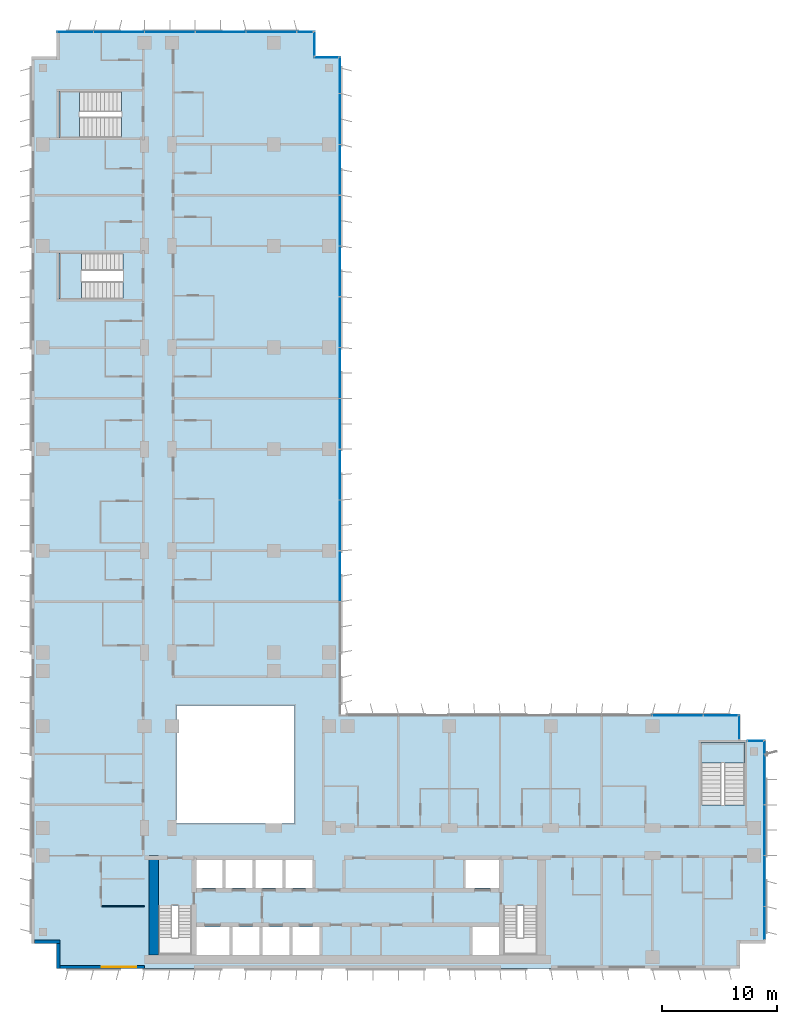
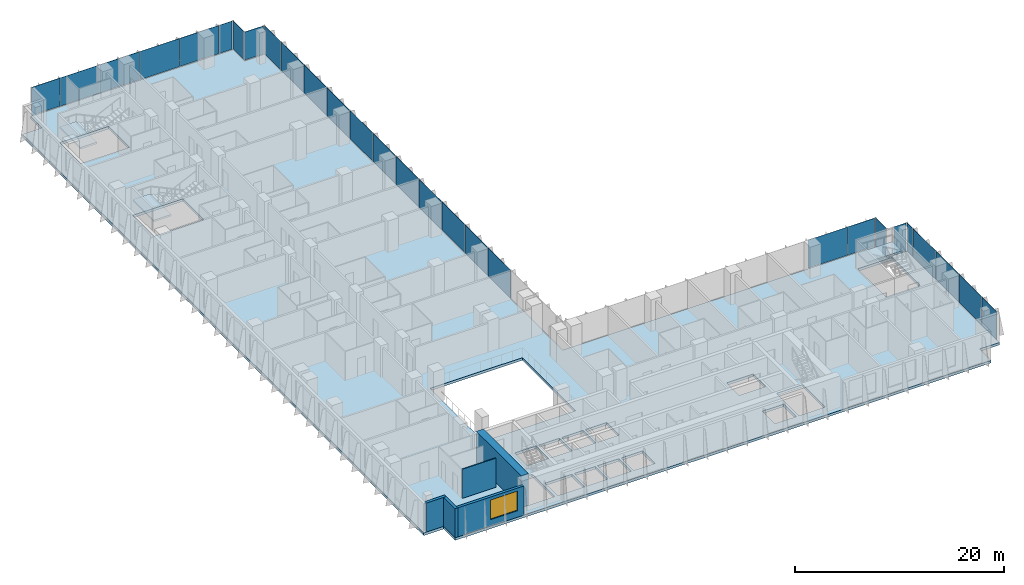
# One storey, part 11 of 23: 28 plates, 5 walls, 4 slabs, 1 window, 1 opening, 11 elements without a shape of their own.
"""IFC4 building model written with IfcOpenShell, lengths in metres."""

from ifc_helpers import new_model, si_unit, direction, frame, frame_2d, origin, origin_2d, place, context, subcontext, project, spatial, polyline, rectangle, outline, extrude, source, transform, mapped, material, layer, layer_set, type_object, element, fill, aggregate, save


model = new_model("IFC4")

# Units and contexts
model_context = context("Model", 3, precision=1e-05, world=origin(), true_north=direction((0.0, 1.0)))
body_context = subcontext(model_context, "Body", "Model", "MODEL_VIEW")
ifc_project = project(units=[si_unit("LENGTHUNIT", "METRE"), si_unit("AREAUNIT", "SQUARE_METRE"), si_unit("VOLUMEUNIT", "CUBIC_METRE"), si_unit("PLANEANGLEUNIT", "RADIAN"), si_unit("MASSUNIT", "GRAM", prefix="KILO")], contexts=[model_context])

# Site, building, storey
site_placement = place(None, origin())
site = spatial("IfcSite", under=ifc_project, at=site_placement, CompositionType="ELEMENT")
building_placement = place(site_placement, origin())
building = spatial("IfcBuilding", under=site, at=building_placement, Name="Kemantara Hotel Tower", CompositionType="ELEMENT")
storey_placement = place(building_placement, frame((0.0, 0.0, 118.5)))
storey = spatial("IfcBuildingStorey", under=building, at=storey_placement, Name="L28", CompositionType="ELEMENT", Elevation=118.5)

# Slab
ifc_material_1 = material(Name="Concrete fc 40 MPa", Category="concrete")
ifc_layer_1 = layer(ifc_material_1, 0.300048828125)
ifc_layer_set_1 = layer_set([ifc_layer_1], Name="Concrete fc 40 MPa")
slab_type_1 = type_object("IfcSlabType", Name="POST-TENSIONED FLAT PLATE 300", PredefinedType="FLOOR", material=ifc_layer_set_1)
slab_1_placement = place(storey_placement, frame((0.0, 0.0, -0.300048828125)))
element("IfcSlab", 1, at=slab_1_placement, inside=storey, type_object=slab_type_1, Name="FLOOR SLAB L28", PredefinedType="FLOOR", context=body_context, shape_type="SweptSolid", body=[
    extrude(outline(polyline([(26.800048828125, 79.0), (24.60009765625, 79.0), (24.60009765625, 81.199951171875), (2.199951171875, 81.199951171875), (2.199951171875, 79.0), (0.0, 79.0), (0.0, 2.199951171875), (2.199951171875, 2.199951171875), (2.199951171875, 0.0), (61.39990234375, 0.0), (61.39990234375, 2.199951171875), (63.60009765625, 2.199951171875), (63.60009765625, 19.800048828125), (61.39990234375, 19.800048828125), (61.39990234375, 22.0), (26.800048828125, 22.0), (26.800048828125, 79.0)]), holes=[polyline([(17.175048828125, 1.199951171875), (14.22509765625, 1.199951171875), (14.22509765625, 3.60009765625), (17.175048828125, 3.60009765625), (17.175048828125, 1.199951171875)]), polyline([(19.77490234375, 1.199951171875), (17.425048828125, 1.199951171875), (17.425048828125, 3.60009765625), (19.77490234375, 3.60009765625), (19.77490234375, 1.199951171875)]), polyline([(11.0, 1.199951171875), (11.0, 5.49951171875), (13.89990234375, 5.49951171875), (13.89990234375, 1.199951171875), (11.0, 1.199951171875)]), polyline([(16.574951171875, 7.0), (14.22509765625, 7.0), (14.22509765625, 9.39990234375), (16.574951171875, 9.39990234375), (16.574951171875, 7.0)]), polyline([(19.175048828125, 7.0), (16.824951171875, 7.0), (16.824951171875, 9.39990234375), (19.175048828125, 9.39990234375), (19.175048828125, 7.0)]), polyline([(22.800048828125, 12.60009765625), (12.60009765625, 12.60009765625), (12.60009765625, 22.800048828125), (22.800048828125, 22.800048828125), (22.800048828125, 12.60009765625)]), polyline([(2.39990234375, 62.0), (7.949462890625, 62.0), (7.949462890625, 58.0), (2.39990234375, 58.0), (2.39990234375, 62.0)]), polyline([(2.39990234375, 76.0), (7.79931640625, 76.0), (7.79931640625, 72.0), (2.39990234375, 72.0), (2.39990234375, 76.0)]), polyline([(22.375, 1.199951171875), (20.02490234375, 1.199951171875), (20.02490234375, 3.60009765625), (22.375, 3.60009765625), (22.375, 1.199951171875)]), polyline([(24.97509765625, 1.199951171875), (22.625, 1.199951171875), (22.625, 3.60009765625), (24.97509765625, 3.60009765625), (24.97509765625, 1.199951171875)]), polyline([(40.574951171875, 1.199951171875), (38.22509765625, 1.199951171875), (38.22509765625, 3.60009765625), (40.574951171875, 3.60009765625), (40.574951171875, 1.199951171875)]), polyline([(40.89990234375, 1.199951171875), (40.89990234375, 5.49951171875), (43.800048828125, 5.49951171875), (43.800048828125, 1.199951171875), (40.89990234375, 1.199951171875)]), polyline([(21.77490234375, 7.0), (19.425048828125, 7.0), (19.425048828125, 9.39990234375), (21.77490234375, 9.39990234375), (21.77490234375, 7.0)]), polyline([(24.375, 7.0), (22.02490234375, 7.0), (22.02490234375, 9.39990234375), (24.375, 9.39990234375), (24.375, 7.0)]), polyline([(40.574951171875, 7.0), (37.625, 7.0), (37.625, 9.39990234375), (40.574951171875, 9.39990234375), (40.574951171875, 7.0)]), polyline([(61.800048828125, 19.60009765625), (61.800048828125, 14.20068359375), (58.0, 14.20068359375), (58.0, 19.60009765625), (61.800048828125, 19.60009765625)])]), origin(), (0.0, 0.0, 1.0), 0.300048828125),
])

# Stair, slab
stair_type_1 = type_object("IfcStairType", Name="Stair 1800 wide 22 risers of 168 x 360 mm", PredefinedType="HALF_TURN_STAIR", material=ifc_material_1)
stair_1_placement = place(storey_placement, origin())
stair_1 = element("IfcStair", 2, at=stair_1_placement, inside=storey, type_object=stair_type_1, Name="L28 Exit stair ST3", PredefinedType="HALF_TURN_STAIR")
ifc_layer_2 = layer(ifc_material_1, 0.199951171875)
ifc_layer_set_2 = layer_set([ifc_layer_2], Name="Concrete fc 40 MPa")
slab_type_2 = type_object("IfcSlabType", Name="Stair landing 200 mm", PredefinedType="LANDING", material=ifc_layer_set_2)
slab_2_placement = place(storey_placement, frame((0.0, 0.0, 1.64990234375)))
slab_2 = element("IfcSlab", 3, at=slab_2_placement, type_object=slab_type_2, Name="ST3 landing 1", PredefinedType="LANDING", context=body_context, shape_type="SweptSolid", body=[
    extrude(outline(polyline([(61.800048828125, 17.800048828125), (61.800048828125, 19.60009765625), (58.0, 19.60009765625), (58.0, 17.800048828125), (61.800048828125, 17.800048828125)])), origin(), (0.0, 0.0, 1.0), 0.2001953125),
])
aggregate(stair_1, [slab_2])

stair_type_2 = type_object("IfcStairType", Name="Stair 1550 wide 22 risers of 168 x 360 mm", PredefinedType="HALF_TURN_STAIR", material=ifc_material_1)
stair_2_placement = place(storey_placement, origin())
stair_2 = element("IfcStair", 4, at=stair_2_placement, inside=storey, type_object=stair_type_2, Name="L28 Exit stair ST4", PredefinedType="HALF_TURN_STAIR")
slab_3_placement = place(storey_placement, frame((0.0, 0.0, 1.64990234375)))
slab_3 = element("IfcSlab", 5, at=slab_3_placement, type_object=slab_type_2, Name="ST4 landing 1", PredefinedType="LANDING", context=body_context, shape_type="SweptSolid", body=[
    extrude(outline(polyline([(4.35009765625, 62.0), (2.39990234375, 62.0), (2.39990234375, 58.0), (4.35009765625, 58.0), (4.35009765625, 62.0)])), origin(), (0.0, 0.0, 1.0), 0.2001953125),
])
aggregate(stair_2, [slab_3])

stair_3_placement = place(storey_placement, origin())
stair_3 = element("IfcStair", 6, at=stair_3_placement, inside=storey, type_object=stair_type_1, Name="L28 Exit stair ST6", PredefinedType="HALF_TURN_STAIR")
slab_4_placement = place(storey_placement, frame((0.0, 0.0, 1.64990234375)))
slab_4 = element("IfcSlab", 7, at=slab_4_placement, type_object=slab_type_2, Name="ST6 landing 1", PredefinedType="LANDING", context=body_context, shape_type="SweptSolid", body=[
    extrude(outline(polyline([(4.199951171875, 76.0), (2.39990234375, 76.0), (2.39990234375, 72.0), (4.199951171875, 72.0), (4.199951171875, 76.0)])), origin(), (0.0, 0.0, 1.0), 0.2001953125),
])
aggregate(stair_3, [slab_4])

# Curtain wall, plate
ifc_material_2 = material(Name="Low-E tinted double insulated glass 36 mm", Category="glass")
curtain_wall_type = type_object("IfcCurtainWallType", Name="TOWER CURTAIN WALL, FRONT FACES", PredefinedType="USERDEFINED", material=ifc_material_2)
curtain_wall_1_placement = place(storey_placement, origin())
curtain_wall_1 = element("IfcCurtainWall", 8, at=curtain_wall_1_placement, inside=storey, type_object=curtain_wall_type, Name="CW4 L28 T2-R10-1", ObjectType="TOWER CURTAIN WALL, FRONT FACES", PredefinedType="USERDEFINED")
ifc_layer_3 = layer(ifc_material_2, 0.035888671875)
ifc_layer_set_3 = layer_set([ifc_layer_3], Name="Low-E tinted double insulated glass 36 mm")
plate_type = type_object("IfcPlateType", Name="TOWER CURTAIN WALL, FRONT FACES PANEL", PredefinedType="CURTAIN_PANEL", material=ifc_layer_set_3)
shared_shape_1 = source(origin(), body_context, "Body", "SweptSolid", [
    extrude(rectangle(XDim=2.81005859375, YDim=0.035888671875, at=origin_2d()), origin(), (0.0, 0.0, 1.0), 3.280029296875),
])
plate_1_placement = place(storey_placement, frame((63.52490234375, 3.965087890625, 0.1201171875), z_axis=(0.0, 0.0, 1.0), x_axis=(0.0, 1.0, 0.0)))
plate_1 = element("IfcPlate", 9, at=plate_1_placement, type_object=plate_type, Name="CW4 glass panel T2-R10-1.1", PredefinedType="CURTAIN_PANEL", context=body_context, shape_type="MappedRepresentation", body=[
    mapped(shared_shape_1, transform((0.0, 0.0, 0.0))),
])

# Curtain wall, plates
curtain_wall_2_placement = place(storey_placement, origin())
curtain_wall_2 = element("IfcCurtainWall", 10, at=curtain_wall_2_placement, inside=storey, type_object=curtain_wall_type, Name="CW4 L28 T2-R01-1", ObjectType="TOWER CURTAIN WALL, FRONT FACES", PredefinedType="USERDEFINED")
shared_shape_2 = source(origin(), body_context, "Body", "SweptSolid", [
    extrude(rectangle(XDim=4.340087890625, YDim=0.035888671875, at=origin_2d()), origin(), (0.0, 0.0, 1.0), 3.280029296875),
])
plate_2_placement = place(storey_placement, frame((20.800048828125, 81.125, 0.1201171875), z_axis=(0.0, 0.0, 1.0), x_axis=(-1.0, 0.0, 0.0)))
plate_2 = element("IfcPlate", 11, at=plate_2_placement, type_object=plate_type, Name="CW4 glass panel T2-R01-1.2", PredefinedType="CURTAIN_PANEL", context=body_context, shape_type="MappedRepresentation", body=[
    mapped(shared_shape_2, transform((0.0, 0.0, 0.0))),
])
plate_3_placement = place(storey_placement, frame((16.39990234375, 81.125, 0.1201171875), z_axis=(0.0, 0.0, 1.0), x_axis=(-1.0, 0.0, 0.0)))
plate_3 = element("IfcPlate", 12, at=plate_3_placement, type_object=plate_type, Name="CW4 glass panel T2-R01-1.3", PredefinedType="CURTAIN_PANEL", context=body_context, shape_type="MappedRepresentation", body=[
    mapped(shared_shape_2, transform((0.0, 0.0, 0.0))),
])
plate_4_placement = place(storey_placement, frame((12.0, 81.125, 0.1201171875), z_axis=(0.0, 0.0, 1.0), x_axis=(-1.0, 0.0, 0.0)))
plate_4 = element("IfcPlate", 13, at=plate_4_placement, type_object=plate_type, Name="CW4 glass panel T2-R01-1.4", PredefinedType="CURTAIN_PANEL", context=body_context, shape_type="MappedRepresentation", body=[
    mapped(shared_shape_2, transform((0.0, 0.0, 0.0))),
])
plate_5_placement = place(storey_placement, frame((7.60009765625, 81.125, 0.1201171875), z_axis=(0.0, 0.0, 1.0), x_axis=(-1.0, 0.0, 0.0)))
plate_5 = element("IfcPlate", 14, at=plate_5_placement, type_object=plate_type, Name="CW4 glass panel T2-R01-1.5", PredefinedType="CURTAIN_PANEL", context=body_context, shape_type="MappedRepresentation", body=[
    mapped(shared_shape_2, transform((0.0, 0.0, 0.0))),
])

# Plate
plate_6_placement = place(storey_placement, frame((63.52490234375, 7.60009765625, 0.1201171875), z_axis=(0.0, 0.0, 1.0), x_axis=(0.0, 1.0, 0.0)))
plate_6 = element("IfcPlate", 15, at=plate_6_placement, type_object=plate_type, Name="CW4 glass panel T2-R10-1.2", PredefinedType="CURTAIN_PANEL", context=body_context, shape_type="MappedRepresentation", body=[
    mapped(shared_shape_2, transform((0.0, 0.0, 0.0))),
])

plate_7_placement = place(storey_placement, frame((63.52490234375, 12.0, 0.1201171875), z_axis=(0.0, 0.0, 1.0), x_axis=(0.0, 1.0, 0.0)))
plate_7 = element("IfcPlate", 16, at=plate_7_placement, type_object=plate_type, Name="CW4 glass panel T2-R10-1.3", PredefinedType="CURTAIN_PANEL", context=body_context, shape_type="MappedRepresentation", body=[
    mapped(shared_shape_2, transform((0.0, 0.0, 0.0))),
])

plate_8_placement = place(storey_placement, frame((63.52490234375, 16.39990234375, 0.1201171875), z_axis=(0.0, 0.0, 1.0), x_axis=(0.0, 1.0, 0.0)))
plate_8 = element("IfcPlate", 17, at=plate_8_placement, type_object=plate_type, Name="CW4 glass panel T2-R10-1.4", PredefinedType="CURTAIN_PANEL", context=body_context, shape_type="MappedRepresentation", body=[
    mapped(shared_shape_2, transform((0.0, 0.0, 0.0))),
])

# Curtain wall, plate
curtain_wall_3_placement = place(storey_placement, origin())
curtain_wall_3 = element("IfcCurtainWall", 18, at=curtain_wall_3_placement, inside=storey, type_object=curtain_wall_type, Name="CW4 L28 T2-R13-1", ObjectType="TOWER CURTAIN WALL, FRONT FACES", PredefinedType="USERDEFINED")
plate_9_placement = place(storey_placement, frame((56.0, 21.925048828125, 0.1201171875), z_axis=(0.0, 0.0, 1.0), x_axis=(-1.0, 0.0, 0.0)))
plate_9 = element("IfcPlate", 19, at=plate_9_placement, type_object=plate_type, Name="CW4 glass panel T2-R13-1.2", PredefinedType="CURTAIN_PANEL", context=body_context, shape_type="MappedRepresentation", body=[
    mapped(shared_shape_2, transform((0.0, 0.0, 0.0))),
])

# Curtain wall, plates
curtain_wall_4_placement = place(storey_placement, origin())
curtain_wall_4 = element("IfcCurtainWall", 20, at=curtain_wall_4_placement, inside=storey, type_object=curtain_wall_type, Name="CW4 L28 T2-R14-1", ObjectType="TOWER CURTAIN WALL, FRONT FACES", PredefinedType="USERDEFINED")
plate_10_placement = place(storey_placement, frame((26.72509765625, 34.0, 0.1201171875), z_axis=(0.0, 0.0, 1.0), x_axis=(0.0, 1.0, 0.0)))
plate_10 = element("IfcPlate", 21, at=plate_10_placement, type_object=plate_type, Name="CW4 glass panel T2-R14-1.4", PredefinedType="CURTAIN_PANEL", context=body_context, shape_type="MappedRepresentation", body=[
    mapped(shared_shape_2, transform((0.0, 0.0, 0.0))),
])
plate_11_placement = place(storey_placement, frame((26.72509765625, 38.39990234375, 0.1201171875), z_axis=(0.0, 0.0, 1.0), x_axis=(0.0, 1.0, 0.0)))
plate_11 = element("IfcPlate", 22, at=plate_11_placement, type_object=plate_type, Name="CW4 glass panel T2-R14-1.5", PredefinedType="CURTAIN_PANEL", context=body_context, shape_type="MappedRepresentation", body=[
    mapped(shared_shape_2, transform((0.0, 0.0, 0.0))),
])
plate_12_placement = place(storey_placement, frame((26.72509765625, 42.800048828125, 0.1201171875), z_axis=(0.0, 0.0, 1.0), x_axis=(0.0, 1.0, 0.0)))
plate_12 = element("IfcPlate", 23, at=plate_12_placement, type_object=plate_type, Name="CW4 glass panel T2-R14-1.6", PredefinedType="CURTAIN_PANEL", context=body_context, shape_type="MappedRepresentation", body=[
    mapped(shared_shape_2, transform((0.0, 0.0, 0.0))),
])
plate_13_placement = place(storey_placement, frame((26.72509765625, 47.199951171875, 0.1201171875), z_axis=(0.0, 0.0, 1.0), x_axis=(0.0, 1.0, 0.0)))
plate_13 = element("IfcPlate", 24, at=plate_13_placement, type_object=plate_type, Name="CW4 glass panel T2-R14-1.7", PredefinedType="CURTAIN_PANEL", context=body_context, shape_type="MappedRepresentation", body=[
    mapped(shared_shape_2, transform((0.0, 0.0, 0.0))),
])
plate_14_placement = place(storey_placement, frame((26.72509765625, 51.60009765625, 0.1201171875), z_axis=(0.0, 0.0, 1.0), x_axis=(0.0, 1.0, 0.0)))
plate_14 = element("IfcPlate", 25, at=plate_14_placement, type_object=plate_type, Name="CW4 glass panel T2-R14-1.8", PredefinedType="CURTAIN_PANEL", context=body_context, shape_type="MappedRepresentation", body=[
    mapped(shared_shape_2, transform((0.0, 0.0, 0.0))),
])
plate_15_placement = place(storey_placement, frame((26.72509765625, 56.0, 0.1201171875), z_axis=(0.0, 0.0, 1.0), x_axis=(0.0, 1.0, 0.0)))
plate_15 = element("IfcPlate", 26, at=plate_15_placement, type_object=plate_type, Name="CW4 glass panel T2-R14-1.9", PredefinedType="CURTAIN_PANEL", context=body_context, shape_type="MappedRepresentation", body=[
    mapped(shared_shape_2, transform((0.0, 0.0, 0.0))),
])
plate_16_placement = place(storey_placement, frame((26.72509765625, 60.39990234375, 0.1201171875), z_axis=(0.0, 0.0, 1.0), x_axis=(0.0, 1.0, 0.0)))
plate_16 = element("IfcPlate", 27, at=plate_16_placement, type_object=plate_type, Name="CW4 glass panel T2-R14-1.10", PredefinedType="CURTAIN_PANEL", context=body_context, shape_type="MappedRepresentation", body=[
    mapped(shared_shape_2, transform((0.0, 0.0, 0.0))),
])
plate_17_placement = place(storey_placement, frame((26.72509765625, 64.800048828125, 0.1201171875), z_axis=(0.0, 0.0, 1.0), x_axis=(0.0, 1.0, 0.0)))
plate_17 = element("IfcPlate", 28, at=plate_17_placement, type_object=plate_type, Name="CW4 glass panel T2-R14-1.11", PredefinedType="CURTAIN_PANEL", context=body_context, shape_type="MappedRepresentation", body=[
    mapped(shared_shape_2, transform((0.0, 0.0, 0.0))),
])
plate_18_placement = place(storey_placement, frame((26.72509765625, 69.199951171875, 0.1201171875), z_axis=(0.0, 0.0, 1.0), x_axis=(0.0, 1.0, 0.0)))
plate_18 = element("IfcPlate", 29, at=plate_18_placement, type_object=plate_type, Name="CW4 glass panel T2-R14-1.12", PredefinedType="CURTAIN_PANEL", context=body_context, shape_type="MappedRepresentation", body=[
    mapped(shared_shape_2, transform((0.0, 0.0, 0.0))),
])
plate_19_placement = place(storey_placement, frame((26.72509765625, 73.60009765625, 0.1201171875), z_axis=(0.0, 0.0, 1.0), x_axis=(0.0, 1.0, 0.0)))
plate_19 = element("IfcPlate", 30, at=plate_19_placement, type_object=plate_type, Name="CW4 glass panel T2-R14-1.13", PredefinedType="CURTAIN_PANEL", context=body_context, shape_type="MappedRepresentation", body=[
    mapped(shared_shape_2, transform((0.0, 0.0, 0.0))),
])

# Plate
shared_shape_3 = source(origin(), body_context, "Body", "SweptSolid", [
    extrude(rectangle(XDim=1.360107421875, YDim=0.035888671875, at=origin_2d()), origin(), (0.0, 0.0, 1.0), 3.280029296875),
])
plate_20_placement = place(storey_placement, frame((23.7099609375, 81.125, 0.1201171875), z_axis=(0.0, 0.0, 1.0), x_axis=(-1.0, 0.0, 0.0)))
plate_20 = element("IfcPlate", 31, at=plate_20_placement, type_object=plate_type, Name="CW4 glass panel T2-R01-1.1", PredefinedType="CURTAIN_PANEL", context=body_context, shape_type="MappedRepresentation", body=[
    mapped(shared_shape_3, transform((0.0, 0.0, 0.0))),
])

shared_shape_4 = source(origin(), body_context, "Body", "SweptSolid", [
    extrude(rectangle(XDim=3.110107421875, YDim=0.035888671875, at=origin_2d()), origin(), (0.0, 0.0, 1.0), 3.280029296875),
])
plate_21_placement = place(storey_placement, frame((3.81494140625, 81.125, 0.1201171875), z_axis=(0.0, 0.0, 1.0), x_axis=(-1.0, 0.0, 0.0)))
plate_21 = element("IfcPlate", 32, at=plate_21_placement, type_object=plate_type, Name="CW4 glass panel T2-R01-1.6", PredefinedType="CURTAIN_PANEL", context=body_context, shape_type="MappedRepresentation", body=[
    mapped(shared_shape_4, transform((0.0, 0.0, 0.0))),
])

aggregate(curtain_wall_2, [plate_20, plate_2, plate_3, plate_4, plate_5, plate_21])

plate_22_placement = place(storey_placement, frame((26.72509765625, 77.385009765625, 0.1201171875), z_axis=(0.0, 0.0, 1.0), x_axis=(0.0, 1.0, 0.0)))
plate_22 = element("IfcPlate", 33, at=plate_22_placement, type_object=plate_type, Name="CW4 glass panel T2-R14-1.14", PredefinedType="CURTAIN_PANEL", context=body_context, shape_type="MappedRepresentation", body=[
    mapped(shared_shape_4, transform((0.0, 0.0, 0.0))),
])

aggregate(curtain_wall_4, [plate_10, plate_11, plate_12, plate_13, plate_14, plate_15, plate_16, plate_17, plate_18, plate_19, plate_22])

# Curtain wall, plate
curtain_wall_5_placement = place(storey_placement, origin())
curtain_wall_5 = element("IfcCurtainWall", 34, at=curtain_wall_5_placement, inside=storey, type_object=curtain_wall_type, Name="CW4 L28 T2-R00-1", ObjectType="TOWER CURTAIN WALL, FRONT FACES", PredefinedType="USERDEFINED")
shared_shape_5 = source(origin(), body_context, "Body", "SweptSolid", [
    extrude(rectangle(XDim=2.080078125, YDim=0.035888671875, at=origin_2d()), origin(), (0.0, 0.0, 1.0), 3.280029296875),
])
plate_23_placement = place(storey_placement, frame((24.52490234375, 80.10009765625, 0.1201171875), z_axis=(0.0, 0.0, 1.0), x_axis=(0.0, 1.0, 0.0)))
plate_23 = element("IfcPlate", 35, at=plate_23_placement, type_object=plate_type, Name="CW4 glass panel T2-R00-1.1", PredefinedType="CURTAIN_PANEL", context=body_context, shape_type="MappedRepresentation", body=[
    mapped(shared_shape_5, transform((0.0, 0.0, 0.0))),
])
aggregate(curtain_wall_5, [plate_23])

curtain_wall_6_placement = place(storey_placement, origin())
curtain_wall_6 = element("IfcCurtainWall", 36, at=curtain_wall_6_placement, inside=storey, type_object=curtain_wall_type, Name="CW4 L28 T2-R12-1", ObjectType="TOWER CURTAIN WALL, FRONT FACES", PredefinedType="USERDEFINED")
plate_24_placement = place(storey_placement, frame((61.324951171875, 20.89990234375, 0.1201171875), z_axis=(0.0, 0.0, 1.0), x_axis=(0.0, 1.0, 0.0)))
plate_24 = element("IfcPlate", 37, at=plate_24_placement, type_object=plate_type, Name="CW4 glass panel T2-R12-1.1", PredefinedType="CURTAIN_PANEL", context=body_context, shape_type="MappedRepresentation", body=[
    mapped(shared_shape_5, transform((0.0, 0.0, 0.0))),
])
aggregate(curtain_wall_6, [plate_24])

curtain_wall_7_placement = place(storey_placement, origin())
curtain_wall_7 = element("IfcCurtainWall", 38, at=curtain_wall_7_placement, inside=storey, type_object=curtain_wall_type, Name="CW4 L28 T2-R15-1", ObjectType="TOWER CURTAIN WALL, FRONT FACES", PredefinedType="USERDEFINED")
plate_25_placement = place(storey_placement, frame((25.550048828125, 78.925048828125, 0.1201171875), z_axis=(0.0, 0.0, 1.0), x_axis=(-1.0, 0.0, 0.0)))
plate_25 = element("IfcPlate", 39, at=plate_25_placement, type_object=plate_type, Name="CW4 glass panel T2-R15-1.1", PredefinedType="CURTAIN_PANEL", context=body_context, shape_type="MappedRepresentation", body=[
    mapped(shared_shape_5, transform((0.0, 0.0, 0.0))),
])
aggregate(curtain_wall_7, [plate_25])

# Plate
shared_shape_6 = source(origin(), body_context, "Body", "SweptSolid", [
    extrude(rectangle(XDim=2.9599609375, YDim=0.035888671875, at=origin_2d()), origin(), (0.0, 0.0, 1.0), 3.280029296875),
])
plate_26_placement = place(storey_placement, frame((59.7099609375, 21.925048828125, 0.1201171875), z_axis=(0.0, 0.0, 1.0), x_axis=(-1.0, 0.0, 0.0)))
plate_26 = element("IfcPlate", 40, at=plate_26_placement, type_object=plate_type, Name="CW4 glass panel T2-R13-1.1", PredefinedType="CURTAIN_PANEL", context=body_context, shape_type="MappedRepresentation", body=[
    mapped(shared_shape_6, transform((0.0, 0.0, 0.0))),
])

aggregate(curtain_wall_3, [plate_26, plate_9])

shared_shape_7 = source(origin(), body_context, "Body", "SweptSolid", [
    extrude(rectangle(XDim=1.110107421875, YDim=0.035888671875, at=origin_2d()), origin(), (0.0, 0.0, 1.0), 3.280029296875),
])
plate_27_placement = place(storey_placement, frame((63.52490234375, 19.18505859375, 0.1201171875), z_axis=(0.0, 0.0, 1.0), x_axis=(0.0, 1.0, 0.0)))
plate_27 = element("IfcPlate", 41, at=plate_27_placement, type_object=plate_type, Name="CW4 glass panel T2-R10-1.5", PredefinedType="CURTAIN_PANEL", context=body_context, shape_type="MappedRepresentation", body=[
    mapped(shared_shape_7, transform((0.0, 0.0, 0.0))),
])

aggregate(curtain_wall_1, [plate_1, plate_6, plate_7, plate_8, plate_27])

# Curtain wall, plate
curtain_wall_8_placement = place(storey_placement, origin())
curtain_wall_8 = element("IfcCurtainWall", 42, at=curtain_wall_8_placement, inside=storey, type_object=curtain_wall_type, Name="CW4 L28 T2-R11-1", ObjectType="TOWER CURTAIN WALL, FRONT FACES", PredefinedType="USERDEFINED")
shared_shape_8 = source(origin(), body_context, "Body", "SweptSolid", [
    extrude(rectangle(XDim=1.330078125, YDim=0.035888671875, at=origin_2d()), origin(), (0.0, 0.0, 1.0), 3.280029296875),
])
plate_28_placement = place(storey_placement, frame((62.72509765625, 19.72509765625, 0.1201171875), z_axis=(0.0, 0.0, 1.0), x_axis=(-1.0, 0.0, 0.0)))
plate_28 = element("IfcPlate", 43, at=plate_28_placement, type_object=plate_type, Name="CW4 glass panel T2-R11-1.1", PredefinedType="CURTAIN_PANEL", context=body_context, shape_type="MappedRepresentation", body=[
    mapped(shared_shape_8, transform((0.0, 0.0, 0.0))),
])
aggregate(curtain_wall_8, [plate_28])

# Walls
ifc_material_3 = material(Name="Bronze anodised aluminium cladding on insulated steel stud wall", Category="steel")
ifc_layer_4 = layer(ifc_material_3, 0.300048828125)
ifc_layer_set_4 = layer_set([ifc_layer_4], Name="Bronze anodised aluminium cladding on insulated steel stud wall")
wall_type_1 = type_object("IfcWallType", Name="BRONZE METAL-CLAD EXTERNAL WALL 300", PredefinedType="STANDARD", material=ifc_layer_set_4)
for number, where, z_axis, x_axis, name in (
    (44, (0.300048828125, 2.35009765625, 0.0), (0.0, 0.0, 1.0), (1.0, 0.0, 0.0), "EXTERNAL WALL L28 T2-R05"),
    (45, (2.35009765625, 2.199951171875, 0.0), (0.0, 0.0, 1.0), (0.0, -1.0, 0.0), "EXTERNAL WALL L28 T2-R06"),
):
    element("IfcWall", number, at=place(storey_placement, frame(where, z_axis=z_axis, x_axis=x_axis)), inside=storey, type_object=wall_type_1, Name=name, PredefinedType="STANDARD", context=body_context, shape_type="SweptSolid", body=[
        extrude(rectangle(XDim=2.199951171875, YDim=0.300048828125, at=frame_2d((1.10009765625, 0.0))), origin(), (0.0, 0.0, 1.0), 3.39990234375),
    ])

# Wall, opening, window
wall_1_placement = place(storey_placement, frame((2.5, 0.14990234375, 0.0), z_axis=(0.0, 0.0, 1.0), x_axis=(1.0, 0.0, 0.0)))
wall_1 = element("IfcWall", 46, at=wall_1_placement, inside=storey, type_object=wall_type_1, Name="EXTERNAL WALL L28 T2-R07", PredefinedType="STANDARD", context=body_context, shape_type="SweptSolid", body=[
    extrude(rectangle(XDim=7.300048828125, YDim=0.300048828125, at=frame_2d((3.64990234375, 0.0))), origin(), (0.0, 0.0, 1.0), 3.39990234375),
])
opening_placement = place(wall_1_placement, frame((3.60009765625, 0.0, 0.75)))
opening = element("IfcOpeningElement", 47, at=opening_placement, cuts=wall_1, Name="Opening W1", PredefinedType="OPENING", context=body_context, shape_type="SweptSolid", body=[
    extrude(rectangle(XDim=3.0, YDim=2.300048828125, at=frame_2d((1.5, 1.14990234375))), frame((0.0, 0.159912109375, 0.0), z_axis=(0.0, -1.0, 0.0), x_axis=(1.0, 0.0, 0.0)), (0.0, 0.0, 1.0), 0.320068359375),
])
ifc_material_4 = material(Name="Low-E tinted double insulated glass in bronze anodised aluminium frame", Category="aluminium")
window_type = type_object("IfcWindowType", Name="CHICAGO WINDOW, TRIPLE PANEL 3000x2300", PartitioningType="TRIPLE_PANEL_VERTICAL", PredefinedType="WINDOW", material=ifc_material_4)
window_placement = place(opening_placement, origin())
window = element("IfcWindow", 48, at=window_placement, inside=storey, type_object=window_type, Name="CHICAGO WINDOW L28 T2-R07-54", OverallHeight=2.300048828125, OverallWidth=3.0, PartitioningType="SINGLE_PANEL", PredefinedType="WINDOW", context=body_context, shape_type="SweptSolid", body=[
    extrude(rectangle(XDim=3.0, YDim=2.300048828125, at=frame_2d((1.5, 1.14990234375))), frame((0.0, 0.030029296875, 0.0), z_axis=(0.0, -1.0, 0.0), x_axis=(1.0, 0.0, 0.0)), (0.0, 0.0, 1.0), 0.06005859375),
])
fill(opening, window)

# Walls
ifc_material_5 = material(Name="Concrete fc 70 MPa", Category="concrete")
ifc_layer_5 = layer(ifc_material_5, 0.800048828125)
ifc_layer_set_5 = layer_set([ifc_layer_5], Name="Concrete fc 70 MPa")
wall_type_2 = type_object("IfcWallType", Name="CORE WALL 800 FC70", PredefinedType="SHEAR", material=ifc_layer_set_5)
wall_2_placement = place(storey_placement, frame((10.60009765625, 1.199951171875, 0.0), z_axis=(0.0, 0.0, 1.0), x_axis=(0.0, 1.0, 0.0)))
element("IfcWall", 49, at=wall_2_placement, inside=storey, type_object=wall_type_2, Name="CORE WALL CW-W", PredefinedType="SHEAR", context=body_context, shape_type="SweptSolid", body=[
    extrude(rectangle(XDim=8.60009765625, YDim=0.800048828125, at=frame_2d((4.300048828125, 0.0))), origin(), (0.0, 0.0, 1.0), 3.699951171875),
])
ifc_material_6 = material(Name="Gypsum board partition on steel studs, 100 mm", Category="steel")
ifc_layer_6 = layer(ifc_material_6, 0.10009765625)
ifc_layer_set_6 = layer_set([ifc_layer_6], Name="Gypsum board partition on steel studs, 100 mm")
wall_type_3 = type_object("IfcWallType", Name="ROOM PARTITION 100", PredefinedType="PARTITIONING", material=ifc_layer_set_6)
wall_3_placement = place(storey_placement, frame((6.10009765625, 5.39990234375, 0.0), z_axis=(0.0, 0.0, 1.0), x_axis=(1.0, 0.0, 0.0)))
element("IfcWall", 50, at=wall_3_placement, inside=storey, type_object=wall_type_3, Name="ROOM PARTITION 100 080", PredefinedType="PARTITIONING", context=body_context, shape_type="SweptSolid", body=[
    extrude(rectangle(XDim=3.69970703125, YDim=0.10009765625, at=frame_2d((1.849853515625, 0.0))), origin(), (0.0, 0.0, 1.0), 3.39990234375),
])

save(model, "model.ifc")
